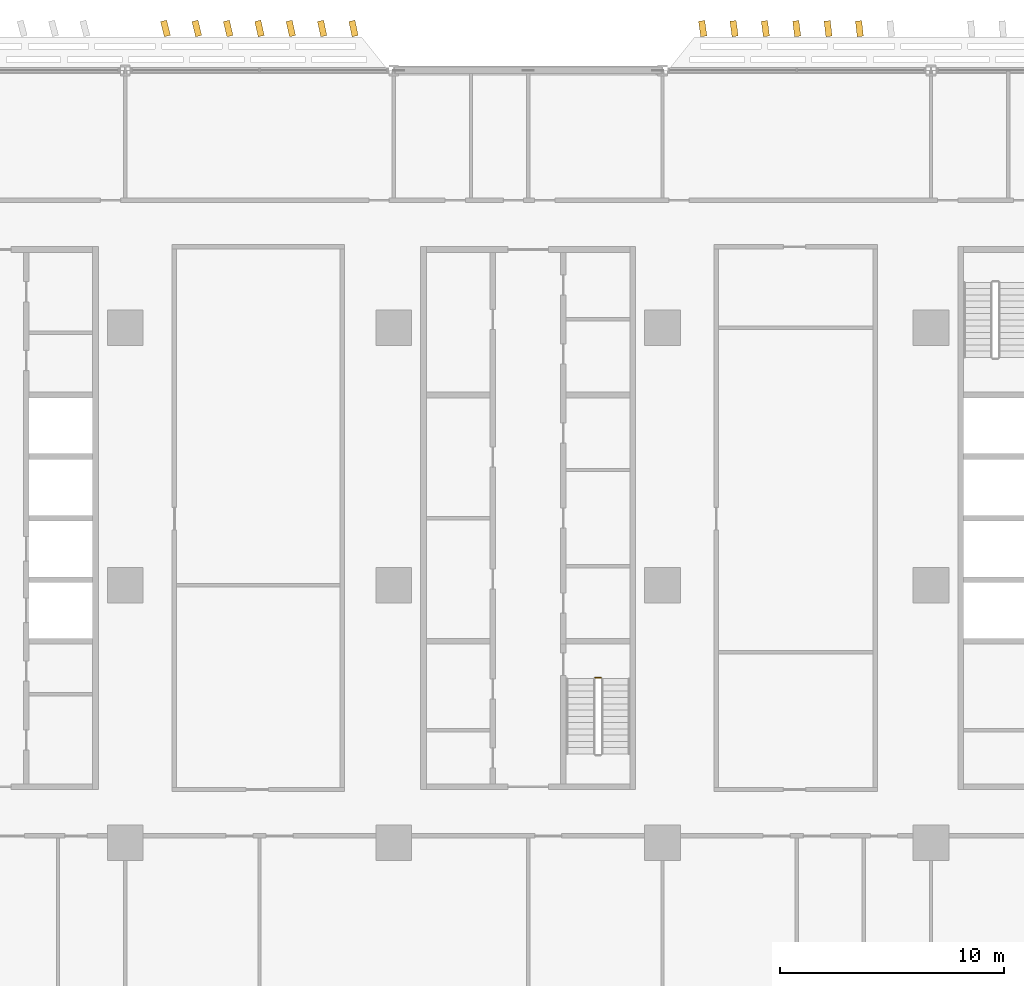
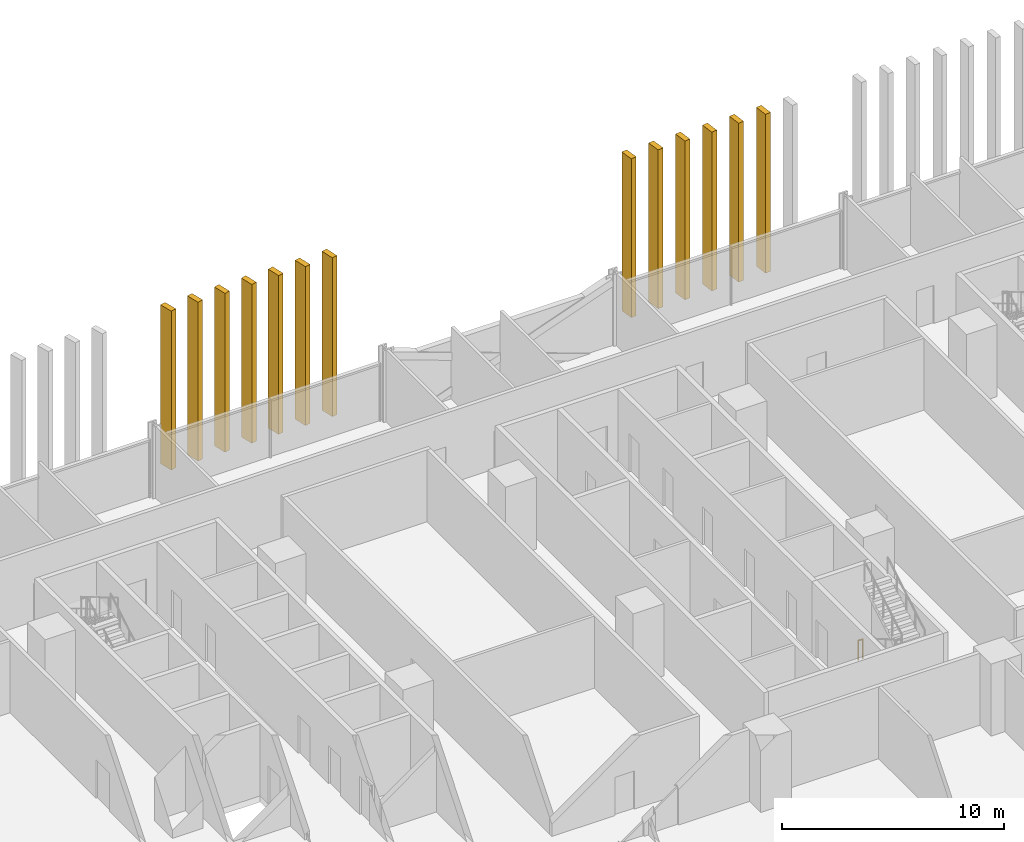
# One storey, part 27 of 31: 13 coverings, 1 railing.
"""IFC4 building model written with IfcOpenShell, lengths in metres."""

from ifc_helpers import new_model, si_unit, direction, frame, origin, origin_2d, place, context, subcontext, project, spatial, rectangle, circle, extrude, material, layer, layer_set, type_object, element, save


model = new_model("IFC4")

# Units and contexts
model_context = context("Model", 3, precision=1e-05, world=origin(), true_north=direction((0.0, 1.0)))
body_context = subcontext(model_context, "Body", "Model", "MODEL_VIEW")
ifc_project = project(units=[si_unit("LENGTHUNIT", "METRE"), si_unit("AREAUNIT", "SQUARE_METRE"), si_unit("VOLUMEUNIT", "CUBIC_METRE"), si_unit("PLANEANGLEUNIT", "RADIAN"), si_unit("MASSUNIT", "GRAM", prefix="KILO")], contexts=[model_context])

# Site, building, storey
site_placement = place(None, origin())
site = spatial("IfcSite", under=ifc_project, at=site_placement, CompositionType="ELEMENT")
building_placement = place(site_placement, origin())
building = spatial("IfcBuilding", under=site, at=building_placement, Name="Mahtab Terrace Research Tower", CompositionType="ELEMENT")
storey_placement = place(building_placement, frame((0.0, 0.0, 11.5)))
storey = spatial("IfcBuildingStorey", under=building, at=storey_placement, Name="L02", CompositionType="ELEMENT", Elevation=11.5)

# Railing
ifc_material_1 = material(Name="Stainless steel AISI 304", Category="steel")
railing_type = type_object("IfcRailingType", Name="Stair guard 1100", PredefinedType="GUARDRAIL", material=ifc_material_1)
railing_placement = place(storey_placement, frame((3.0, -4.125, 0.0)))
element("IfcRailing", 1, at=railing_placement, inside=storey, type_object=railing_type, Name="L02 ST2 stair guard 4", PredefinedType="GUARDRAIL", context=body_context, shape_type="SweptSolid", body=[
    extrude(circle(Radius=0.02392578125, at=origin_2d()), frame((0.0, 0.0, 1.076171875), z_axis=(1.0, 0.0, 0.0), x_axis=(0.0, 1.0, 0.0)), (0.0, 0.0, 1.0), 0.25),
    extrude(circle(Radius=0.02099609375, at=origin_2d()), origin(), (0.0, 0.0, 1.0), 1.052001953125),
    extrude(circle(Radius=0.02099609375, at=origin_2d()), frame((0.25, 0.0, 0.0)), (0.0, 0.0, 1.0), 1.052001953125),
])

# Coverings
ifc_material_2 = material(Name="Bronze anodised aluminium", Category="aluminium")
ifc_layer = layer(ifc_material_2, 0.1201171875)
ifc_layer_set = layer_set([ifc_layer], Name="Vertical fin 700")
covering_type = type_object("IfcCoveringType", Name="Vertical fin 700", PredefinedType="CLADDING", material=ifc_layer_set)
for number, where, z_axis, x_axis, name in (
    (2, (14.800048828125, 24.863525390625, -0.14990234375), (0.0, 0.0, 1.0), (-0.993618812002, -0.112790320663, 0.0), "Fin L02 N2"),
    (3, (13.39990234375, 24.864013671875, -0.14990234375), (0.0, 0.0, 1.0), (-0.992945813063, -0.118569019226, 0.0), "Fin L02 N3"),
    (4, (12.0, 24.86474609375, -0.14990234375), (0.0, 0.0, 1.0), (-0.9922392066, -0.12434370465, 0.0), "Fin L02 N4"),
    (5, (10.60009765625, 24.865234375, -0.14990234375), (0.0, 0.0, 1.0), (-0.991499016526, -0.130114181502, 0.0), "Fin L02 N5"),
    (6, (9.199951171875, 24.86572265625, -0.14990234375), (0.0, 0.0, 1.0), (-0.990725267892, -0.135880254489, 0.0), "Fin L02 N6"),
    (7, (7.800048828125, 24.8662109375, -0.14990234375), (0.0, 0.0, 1.0), (-0.989917986891, -0.141641728418, 0.0), "Fin L02 N7"),
    (8, (-7.800048828125, 24.871337890625, -0.14990234375), (0.0, 0.0, 1.0), (-0.978662951719, -0.205472204767, 0.0), "Fin L02 N1"),
    (9, (-9.199951171875, 24.87158203125, -0.14990234375), (0.0, 0.0, 1.0), (-0.97745100758, -0.211162325667, 0.0), "Fin L02 N2"),
    (10, (-10.60009765625, 24.8720703125, -0.14990234375), (0.0, 0.0, 1.0), (-0.976205980352, -0.216845299523, 0.0), "Fin L02 N3"),
    (11, (-12.0, 24.872314453125, -0.14990234375), (0.0, 0.0, 1.0), (-0.974927912182, -0.222520933954, 0.0), "Fin L02 N4"),
    (12, (-13.39990234375, 24.872802734375, -0.14990234375), (0.0, 0.0, 1.0), (-0.973616846325, -0.228189036878, 0.0), "Fin L02 N5"),
    (13, (-14.800048828125, 24.873046875, -0.14990234375), (0.0, 0.0, 1.0), (-0.972272827152, -0.233849416469, 0.0), "Fin L02 N6"),
    (14, (-16.199951171875, 24.873291015625, -0.14990234375), (0.0, 0.0, 1.0), (-0.970895900159, -0.239501881108, 0.0), "Fin L02 N7"),
):
    element("IfcCovering", number, at=place(storey_placement, frame(where, z_axis=z_axis, x_axis=x_axis)), inside=storey, type_object=covering_type, Name=name, PredefinedType="CLADDING", context=body_context, shape_type="SweptSolid", body=[
        extrude(rectangle(XDim=0.280029296875, YDim=0.699951171875, at=origin_2d()), origin(), (0.0, 0.0, 1.0), 8.75),
    ])

save(model, "model.ifc")
